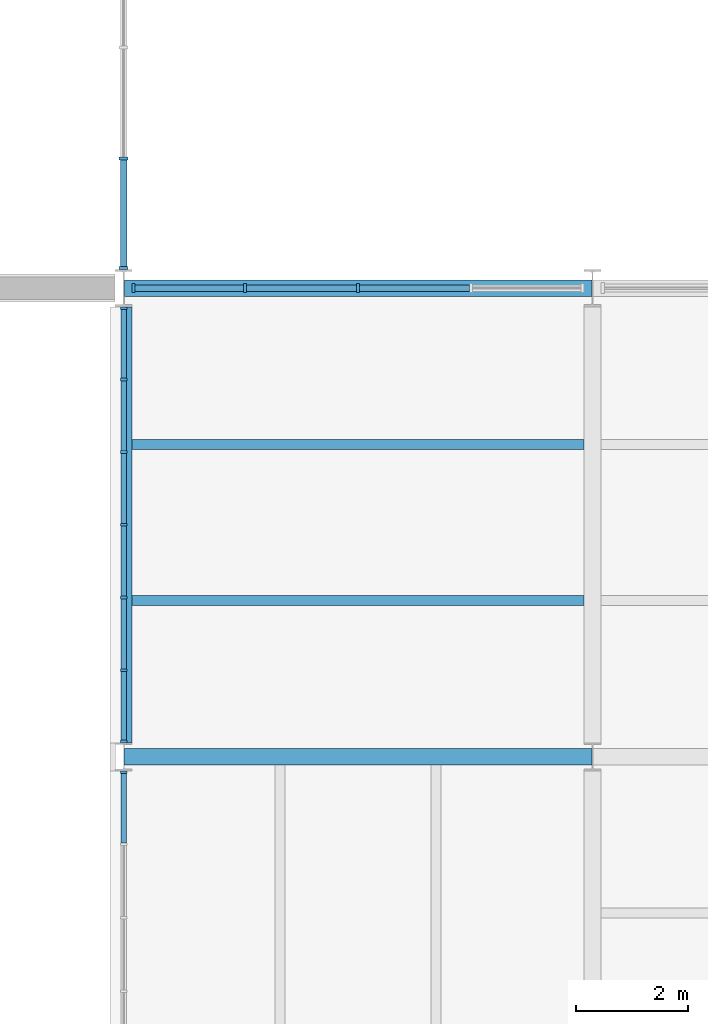
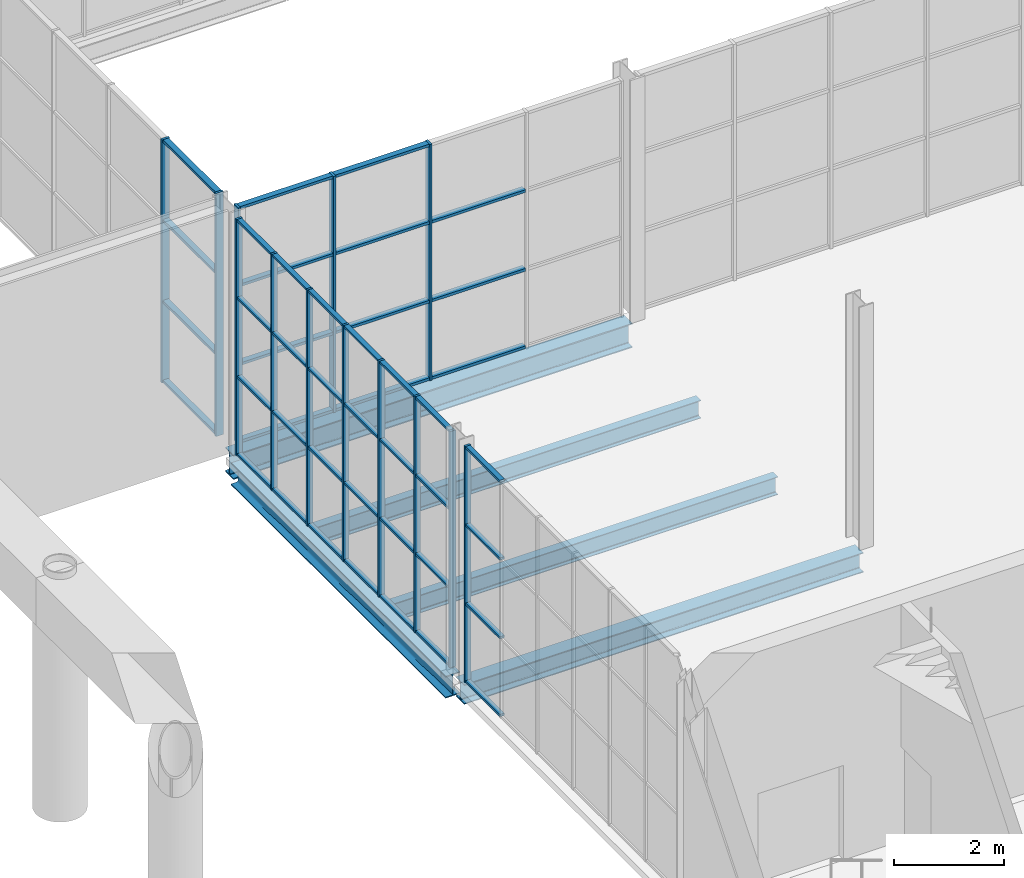
# One storey, part 11 of 64: 56 members, 5 beams, 4 elements without a shape of their own.
"""IFC4 building model written with IfcOpenShell, lengths in metres."""

from ifc_helpers import new_model, si_unit, direction, frame, origin, origin_2d, place, context, subcontext, project, spatial, rectangle, i_section, extrude, material, layer, layer_set, material_profile, profile_set, type_object, element, aggregate, save


model = new_model("IFC4")

# Units and contexts
model_context = context("Model", 3, precision=1e-05, world=origin(), true_north=direction((0.0, 1.0)))
body_context = subcontext(model_context, "Body", "Model", "MODEL_VIEW")
ifc_project = project(units=[si_unit("LENGTHUNIT", "METRE"), si_unit("AREAUNIT", "SQUARE_METRE"), si_unit("VOLUMEUNIT", "CUBIC_METRE"), si_unit("PLANEANGLEUNIT", "RADIAN"), si_unit("MASSUNIT", "GRAM", prefix="KILO")], contexts=[model_context])

# Site, building, storey
site_placement = place(None, origin())
site = spatial("IfcSite", under=ifc_project, at=site_placement, CompositionType="ELEMENT")
building_placement = place(site_placement, origin())
building = spatial("IfcBuilding", under=site, at=building_placement, Name="Galleria Vessillo Department Store", CompositionType="ELEMENT")
storey_placement = place(building_placement, frame((0.0, 0.0, 6.0)))
storey = spatial("IfcBuildingStorey", under=building, at=storey_placement, Name="L01", CompositionType="ELEMENT", Elevation=6.0)

# Curtain wall, member
ifc_material_1 = material(Name="Aluminium and glass curtain wall", Category="aluminium")
ifc_layer_1 = layer(ifc_material_1, 0.1201171875)
ifc_layer_set_1 = layer_set([ifc_layer_1], Name="Aluminium and glass curtain wall")
curtain_wall_type_1 = type_object("IfcCurtainWallType", Name="Shopfront curtain wall CW3 1400 module", PredefinedType="NOTDEFINED", material=ifc_layer_set_1)
curtain_wall_1_placement = place(storey_placement, origin())
curtain_wall_1 = element("IfcCurtainWall", 1, at=curtain_wall_1_placement, inside=storey, type_object=curtain_wall_type_1, Name="Shopfront curtain wall CW3 1400 module LB-L01-01", PredefinedType="NOTDEFINED")
ifc_material_2 = material(Name="Aluminium alloy 6063 T6", Category="aluminium")
ifc_material_profile_1 = material_profile(ifc_material_2, rectangle(XDim=0.1201171875, YDim=0.050048828125, at=origin_2d()), Name="AL 50x120")
ifc_profile_set_1 = profile_set([ifc_material_profile_1], Name="Aluminium alloy 6063 T6")
member_type_1 = type_object("IfcMemberType", Name="Aluminium mullion 50 x 120", PredefinedType="MULLION", material=ifc_profile_set_1)
member_1_placement = place(storey_placement, frame((8.39990234375, 16.525146484375, 0.0), z_axis=(0.0, 0.0, 1.0), x_axis=(-1.0, 0.0, 0.0)))
member_1 = element("IfcMember", 2, at=member_1_placement, type_object=member_type_1, Name="CW3 mullion 7", PredefinedType="MULLION", context=body_context, shape_type="SweptSolid", body=[
    extrude(rectangle(XDim=0.1201171875, YDim=0.050048828125, at=origin_2d()), origin(), (0.0, 0.0, 1.0), 5.25),
])

# Curtain wall, members
curtain_wall_2_placement = place(storey_placement, origin())
curtain_wall_2 = element("IfcCurtainWall", 3, at=curtain_wall_2_placement, inside=storey, type_object=curtain_wall_type_1, Name="Shopfront curtain wall CW3 1400 module LB-L01-02", PredefinedType="NOTDEFINED")
member_2_placement = place(storey_placement, frame((8.39990234375, 17.074951171875, 0.0), z_axis=(0.0, 0.0, 1.0), x_axis=(-1.0, 0.0, 0.0)))
member_2 = element("IfcMember", 4, at=member_2_placement, type_object=member_type_1, Name="CW3 mullion 1", PredefinedType="MULLION", context=body_context, shape_type="SweptSolid", body=[
    extrude(rectangle(XDim=0.1201171875, YDim=0.050048828125, at=origin_2d()), origin(), (0.0, 0.0, 1.0), 5.25),
])
member_3_placement = place(storey_placement, frame((8.39990234375, 18.352783203125, 0.0), z_axis=(0.0, 0.0, 1.0), x_axis=(-1.0, 0.0, 0.0)))
member_3 = element("IfcMember", 5, at=member_3_placement, type_object=member_type_1, Name="CW3 mullion 2", PredefinedType="MULLION", context=body_context, shape_type="SweptSolid", body=[
    extrude(rectangle(XDim=0.1201171875, YDim=0.050048828125, at=origin_2d()), origin(), (0.0, 0.0, 1.0), 5.25),
])
member_4_placement = place(storey_placement, frame((8.39990234375, 19.6552734375, 0.0), z_axis=(0.0, 0.0, 1.0), x_axis=(-1.0, 0.0, 0.0)))
member_4 = element("IfcMember", 6, at=member_4_placement, type_object=member_type_1, Name="CW3 mullion 3", PredefinedType="MULLION", context=body_context, shape_type="SweptSolid", body=[
    extrude(rectangle(XDim=0.1201171875, YDim=0.050048828125, at=origin_2d()), origin(), (0.0, 0.0, 1.0), 5.25),
])
member_5_placement = place(storey_placement, frame((8.39990234375, 20.9580078125, 0.0), z_axis=(0.0, 0.0, 1.0), x_axis=(-1.0, 0.0, 0.0)))
member_5 = element("IfcMember", 7, at=member_5_placement, type_object=member_type_1, Name="CW3 mullion 4", PredefinedType="MULLION", context=body_context, shape_type="SweptSolid", body=[
    extrude(rectangle(XDim=0.1201171875, YDim=0.050048828125, at=origin_2d()), origin(), (0.0, 0.0, 1.0), 5.25),
])
member_6_placement = place(storey_placement, frame((8.39990234375, 22.2607421875, 0.0), z_axis=(0.0, 0.0, 1.0), x_axis=(-1.0, 0.0, 0.0)))
member_6 = element("IfcMember", 8, at=member_6_placement, type_object=member_type_1, Name="CW3 mullion 5", PredefinedType="MULLION", context=body_context, shape_type="SweptSolid", body=[
    extrude(rectangle(XDim=0.1201171875, YDim=0.050048828125, at=origin_2d()), origin(), (0.0, 0.0, 1.0), 5.25),
])
member_7_placement = place(storey_placement, frame((8.39990234375, 23.563232421875, 0.0), z_axis=(0.0, 0.0, 1.0), x_axis=(-1.0, 0.0, 0.0)))
member_7 = element("IfcMember", 9, at=member_7_placement, type_object=member_type_1, Name="CW3 mullion 6", PredefinedType="MULLION", context=body_context, shape_type="SweptSolid", body=[
    extrude(rectangle(XDim=0.1201171875, YDim=0.050048828125, at=origin_2d()), origin(), (0.0, 0.0, 1.0), 5.25),
])
member_8_placement = place(storey_placement, frame((8.39990234375, 24.841064453125, 0.0), z_axis=(0.0, 0.0, 1.0), x_axis=(-1.0, 0.0, 0.0)))
member_8 = element("IfcMember", 10, at=member_8_placement, type_object=member_type_1, Name="CW3 mullion 7", PredefinedType="MULLION", context=body_context, shape_type="SweptSolid", body=[
    extrude(rectangle(XDim=0.1201171875, YDim=0.050048828125, at=origin_2d()), origin(), (0.0, 0.0, 1.0), 5.25),
])

ifc_material_3 = material(Name="Aluminium and glass curtain wall", Category="aluminium")
ifc_layer_2 = layer(ifc_material_3, 0.159912109375)
ifc_layer_set_2 = layer_set([ifc_layer_2], Name="Aluminium and glass curtain wall")
curtain_wall_type_2 = type_object("IfcCurtainWallType", Name="Arcade portal glazing CW2 2100 module", PredefinedType="NOTDEFINED", material=ifc_layer_set_2)
curtain_wall_3_placement = place(storey_placement, origin())
curtain_wall_3 = element("IfcCurtainWall", 11, at=curtain_wall_3_placement, inside=storey, type_object=curtain_wall_type_2, Name="Arcade portal glazing CW2 2100 module PW-W-S-L01-01", PredefinedType="NOTDEFINED")
ifc_material_4 = material(Name="Aluminium alloy 6063 T6", Category="aluminium")
ifc_material_profile_2 = material_profile(ifc_material_4, rectangle(XDim=0.159912109375, YDim=0.050048828125, at=origin_2d()), Name="AL 50x160")
ifc_profile_set_2 = profile_set([ifc_material_profile_2], Name="Aluminium alloy 6063 T6")
member_type_2 = type_object("IfcMemberType", Name="Aluminium mullion 50 x 160", PredefinedType="MULLION", material=ifc_profile_set_2)
member_9_placement = place(storey_placement, frame((8.577392578125, 25.199951171875, 0.0), z_axis=(0.0, 0.0, 1.0), x_axis=(0.0, 1.0, 0.0)))
member_9 = element("IfcMember", 12, at=member_9_placement, type_object=member_type_2, Name="CW2 mullion 1", PredefinedType="MULLION", context=body_context, shape_type="SweptSolid", body=[
    extrude(rectangle(XDim=0.159912109375, YDim=0.050048828125, at=origin_2d()), origin(), (0.0, 0.0, 1.0), 5.25),
])
member_10_placement = place(storey_placement, frame((10.576171875, 25.199951171875, 0.0), z_axis=(0.0, 0.0, 1.0), x_axis=(0.0, 1.0, 0.0)))
member_10 = element("IfcMember", 13, at=member_10_placement, type_object=member_type_2, Name="CW2 mullion 2", PredefinedType="MULLION", context=body_context, shape_type="SweptSolid", body=[
    extrude(rectangle(XDim=0.159912109375, YDim=0.050048828125, at=origin_2d()), origin(), (0.0, 0.0, 1.0), 5.25),
])
member_11_placement = place(storey_placement, frame((12.60009765625, 25.199951171875, 0.0), z_axis=(0.0, 0.0, 1.0), x_axis=(0.0, 1.0, 0.0)))
member_11 = element("IfcMember", 14, at=member_11_placement, type_object=member_type_2, Name="CW2 mullion 3", PredefinedType="MULLION", context=body_context, shape_type="SweptSolid", body=[
    extrude(rectangle(XDim=0.159912109375, YDim=0.050048828125, at=origin_2d()), origin(), (0.0, 0.0, 1.0), 5.25),
])

curtain_wall_4_placement = place(storey_placement, origin())
curtain_wall_4 = element("IfcCurtainWall", 15, at=curtain_wall_4_placement, inside=storey, type_object=curtain_wall_type_2, Name="Arcade portal glazing CW2 2100 module SCR-W-L01-01", PredefinedType="NOTDEFINED")
member_12_placement = place(storey_placement, frame((8.39990234375, 25.558837890625, 0.0), z_axis=(0.0, 0.0, 1.0), x_axis=(-1.0, 0.0, 0.0)))
member_12 = element("IfcMember", 16, at=member_12_placement, type_object=member_type_2, Name="CW2 mullion 1", PredefinedType="MULLION", context=body_context, shape_type="SweptSolid", body=[
    extrude(rectangle(XDim=0.159912109375, YDim=0.050048828125, at=origin_2d()), origin(), (0.0, 0.0, 1.0), 5.39990234375),
])
member_13_placement = place(storey_placement, frame((8.39990234375, 27.522705078125, 0.0), z_axis=(0.0, 0.0, 1.0), x_axis=(-1.0, 0.0, 0.0)))
member_13 = element("IfcMember", 17, at=member_13_placement, type_object=member_type_2, Name="CW2 mullion 2", PredefinedType="MULLION", context=body_context, shape_type="SweptSolid", body=[
    extrude(rectangle(XDim=0.159912109375, YDim=0.050048828125, at=origin_2d()), origin(), (0.0, 0.0, 1.0), 5.39990234375),
])

# Member
ifc_material_5 = material(Name="Aluminium alloy 6063 T6", Category="aluminium")
ifc_material_profile_3 = material_profile(ifc_material_5, rectangle(XDim=0.10009765625, YDim=0.050048828125, at=origin_2d()), Name="AL 50x100")
ifc_profile_set_3 = profile_set([ifc_material_profile_3], Name="Aluminium alloy 6063 T6")
member_type_3 = type_object("IfcMemberType", Name="Aluminium transom 50 x 100", PredefinedType="USERDEFINED", material=ifc_profile_set_3)
member_14_placement = place(storey_placement, frame((8.39990234375, 15.25830078125, 0.02490234375), z_axis=(0.0, 1.0, 0.0), x_axis=(-1.0, 0.0, 0.0)))
member_14 = element("IfcMember", 18, at=member_14_placement, type_object=member_type_3, Name="CW3 transom 6.1", ObjectType="TRANSOM", PredefinedType="USERDEFINED", context=body_context, shape_type="SweptSolid", body=[
    extrude(rectangle(XDim=0.10009765625, YDim=0.050048828125, at=origin_2d()), origin(), (0.0, 0.0, 1.0), 1.24169921875),
])

member_15_placement = place(storey_placement, frame((8.39990234375, 15.25830078125, 1.75), z_axis=(0.0, 1.0, 0.0), x_axis=(-1.0, 0.0, 0.0)))
member_15 = element("IfcMember", 19, at=member_15_placement, type_object=member_type_3, Name="CW3 transom 6.2", ObjectType="TRANSOM", PredefinedType="USERDEFINED", context=body_context, shape_type="SweptSolid", body=[
    extrude(rectangle(XDim=0.10009765625, YDim=0.050048828125, at=origin_2d()), origin(), (0.0, 0.0, 1.0), 1.24169921875),
])

member_16_placement = place(storey_placement, frame((8.39990234375, 15.25830078125, 3.5), z_axis=(0.0, 1.0, 0.0), x_axis=(-1.0, 0.0, 0.0)))
member_16 = element("IfcMember", 20, at=member_16_placement, type_object=member_type_3, Name="CW3 transom 6.3", ObjectType="TRANSOM", PredefinedType="USERDEFINED", context=body_context, shape_type="SweptSolid", body=[
    extrude(rectangle(XDim=0.10009765625, YDim=0.050048828125, at=origin_2d()), origin(), (0.0, 0.0, 1.0), 1.24169921875),
])

member_17_placement = place(storey_placement, frame((8.39990234375, 15.25830078125, 5.22509765625), z_axis=(0.0, 1.0, 0.0), x_axis=(-1.0, 0.0, 0.0)))
member_17 = element("IfcMember", 21, at=member_17_placement, type_object=member_type_3, Name="CW3 transom 6.4", ObjectType="TRANSOM", PredefinedType="USERDEFINED", context=body_context, shape_type="SweptSolid", body=[
    extrude(rectangle(XDim=0.10009765625, YDim=0.050048828125, at=origin_2d()), origin(), (0.0, 0.0, 1.0), 1.24169921875),
])

aggregate(curtain_wall_1, [member_1, member_14, member_15, member_16, member_17])

member_18_placement = place(storey_placement, frame((8.39990234375, 17.10009765625, 0.02490234375), z_axis=(0.0, 1.0, 0.0), x_axis=(-1.0, 0.0, 0.0)))
member_18 = element("IfcMember", 22, at=member_18_placement, type_object=member_type_3, Name="CW3 transom 1.1", ObjectType="TRANSOM", PredefinedType="USERDEFINED", context=body_context, shape_type="SweptSolid", body=[
    extrude(rectangle(XDim=0.10009765625, YDim=0.050048828125, at=origin_2d()), origin(), (0.0, 0.0, 1.0), 1.2275390625),
])

member_19_placement = place(storey_placement, frame((8.39990234375, 17.10009765625, 1.75), z_axis=(0.0, 1.0, 0.0), x_axis=(-1.0, 0.0, 0.0)))
member_19 = element("IfcMember", 23, at=member_19_placement, type_object=member_type_3, Name="CW3 transom 1.2", ObjectType="TRANSOM", PredefinedType="USERDEFINED", context=body_context, shape_type="SweptSolid", body=[
    extrude(rectangle(XDim=0.10009765625, YDim=0.050048828125, at=origin_2d()), origin(), (0.0, 0.0, 1.0), 1.2275390625),
])

member_20_placement = place(storey_placement, frame((8.39990234375, 17.10009765625, 3.5), z_axis=(0.0, 1.0, 0.0), x_axis=(-1.0, 0.0, 0.0)))
member_20 = element("IfcMember", 24, at=member_20_placement, type_object=member_type_3, Name="CW3 transom 1.3", ObjectType="TRANSOM", PredefinedType="USERDEFINED", context=body_context, shape_type="SweptSolid", body=[
    extrude(rectangle(XDim=0.10009765625, YDim=0.050048828125, at=origin_2d()), origin(), (0.0, 0.0, 1.0), 1.2275390625),
])

member_21_placement = place(storey_placement, frame((8.39990234375, 17.10009765625, 5.22509765625), z_axis=(0.0, 1.0, 0.0), x_axis=(-1.0, 0.0, 0.0)))
member_21 = element("IfcMember", 25, at=member_21_placement, type_object=member_type_3, Name="CW3 transom 1.4", ObjectType="TRANSOM", PredefinedType="USERDEFINED", context=body_context, shape_type="SweptSolid", body=[
    extrude(rectangle(XDim=0.10009765625, YDim=0.050048828125, at=origin_2d()), origin(), (0.0, 0.0, 1.0), 1.2275390625),
])

member_22_placement = place(storey_placement, frame((8.39990234375, 18.377685546875, 0.02490234375), z_axis=(0.0, 1.0, 0.0), x_axis=(-1.0, 0.0, 0.0)))
member_22 = element("IfcMember", 26, at=member_22_placement, type_object=member_type_3, Name="CW3 transom 2.1", ObjectType="TRANSOM", PredefinedType="USERDEFINED", context=body_context, shape_type="SweptSolid", body=[
    extrude(rectangle(XDim=0.10009765625, YDim=0.050048828125, at=origin_2d()), origin(), (0.0, 0.0, 1.0), 1.252685546875),
])

member_23_placement = place(storey_placement, frame((8.39990234375, 18.377685546875, 1.75), z_axis=(0.0, 1.0, 0.0), x_axis=(-1.0, 0.0, 0.0)))
member_23 = element("IfcMember", 27, at=member_23_placement, type_object=member_type_3, Name="CW3 transom 2.2", ObjectType="TRANSOM", PredefinedType="USERDEFINED", context=body_context, shape_type="SweptSolid", body=[
    extrude(rectangle(XDim=0.10009765625, YDim=0.050048828125, at=origin_2d()), origin(), (0.0, 0.0, 1.0), 1.252685546875),
])

member_24_placement = place(storey_placement, frame((8.39990234375, 18.377685546875, 3.5), z_axis=(0.0, 1.0, 0.0), x_axis=(-1.0, 0.0, 0.0)))
member_24 = element("IfcMember", 28, at=member_24_placement, type_object=member_type_3, Name="CW3 transom 2.3", ObjectType="TRANSOM", PredefinedType="USERDEFINED", context=body_context, shape_type="SweptSolid", body=[
    extrude(rectangle(XDim=0.10009765625, YDim=0.050048828125, at=origin_2d()), origin(), (0.0, 0.0, 1.0), 1.252685546875),
])

member_25_placement = place(storey_placement, frame((8.39990234375, 18.377685546875, 5.22509765625), z_axis=(0.0, 1.0, 0.0), x_axis=(-1.0, 0.0, 0.0)))
member_25 = element("IfcMember", 29, at=member_25_placement, type_object=member_type_3, Name="CW3 transom 2.4", ObjectType="TRANSOM", PredefinedType="USERDEFINED", context=body_context, shape_type="SweptSolid", body=[
    extrude(rectangle(XDim=0.10009765625, YDim=0.050048828125, at=origin_2d()), origin(), (0.0, 0.0, 1.0), 1.252685546875),
])

member_26_placement = place(storey_placement, frame((8.39990234375, 19.680419921875, 0.02490234375), z_axis=(0.0, 1.0, 0.0), x_axis=(-1.0, 0.0, 0.0)))
member_26 = element("IfcMember", 30, at=member_26_placement, type_object=member_type_3, Name="CW3 transom 3.1", ObjectType="TRANSOM", PredefinedType="USERDEFINED", context=body_context, shape_type="SweptSolid", body=[
    extrude(rectangle(XDim=0.10009765625, YDim=0.050048828125, at=origin_2d()), origin(), (0.0, 0.0, 1.0), 1.252685546875),
])

member_27_placement = place(storey_placement, frame((8.39990234375, 19.680419921875, 1.75), z_axis=(0.0, 1.0, 0.0), x_axis=(-1.0, 0.0, 0.0)))
member_27 = element("IfcMember", 31, at=member_27_placement, type_object=member_type_3, Name="CW3 transom 3.2", ObjectType="TRANSOM", PredefinedType="USERDEFINED", context=body_context, shape_type="SweptSolid", body=[
    extrude(rectangle(XDim=0.10009765625, YDim=0.050048828125, at=origin_2d()), origin(), (0.0, 0.0, 1.0), 1.252685546875),
])

member_28_placement = place(storey_placement, frame((8.39990234375, 19.680419921875, 3.5), z_axis=(0.0, 1.0, 0.0), x_axis=(-1.0, 0.0, 0.0)))
member_28 = element("IfcMember", 32, at=member_28_placement, type_object=member_type_3, Name="CW3 transom 3.3", ObjectType="TRANSOM", PredefinedType="USERDEFINED", context=body_context, shape_type="SweptSolid", body=[
    extrude(rectangle(XDim=0.10009765625, YDim=0.050048828125, at=origin_2d()), origin(), (0.0, 0.0, 1.0), 1.252685546875),
])

member_29_placement = place(storey_placement, frame((8.39990234375, 19.680419921875, 5.22509765625), z_axis=(0.0, 1.0, 0.0), x_axis=(-1.0, 0.0, 0.0)))
member_29 = element("IfcMember", 33, at=member_29_placement, type_object=member_type_3, Name="CW3 transom 3.4", ObjectType="TRANSOM", PredefinedType="USERDEFINED", context=body_context, shape_type="SweptSolid", body=[
    extrude(rectangle(XDim=0.10009765625, YDim=0.050048828125, at=origin_2d()), origin(), (0.0, 0.0, 1.0), 1.252685546875),
])

member_30_placement = place(storey_placement, frame((8.39990234375, 20.98291015625, 0.02490234375), z_axis=(0.0, 1.0, 0.0), x_axis=(-1.0, 0.0, 0.0)))
member_30 = element("IfcMember", 34, at=member_30_placement, type_object=member_type_3, Name="CW3 transom 4.1", ObjectType="TRANSOM", PredefinedType="USERDEFINED", context=body_context, shape_type="SweptSolid", body=[
    extrude(rectangle(XDim=0.10009765625, YDim=0.050048828125, at=origin_2d()), origin(), (0.0, 0.0, 1.0), 1.252685546875),
])

member_31_placement = place(storey_placement, frame((8.39990234375, 20.98291015625, 1.75), z_axis=(0.0, 1.0, 0.0), x_axis=(-1.0, 0.0, 0.0)))
member_31 = element("IfcMember", 35, at=member_31_placement, type_object=member_type_3, Name="CW3 transom 4.2", ObjectType="TRANSOM", PredefinedType="USERDEFINED", context=body_context, shape_type="SweptSolid", body=[
    extrude(rectangle(XDim=0.10009765625, YDim=0.050048828125, at=origin_2d()), origin(), (0.0, 0.0, 1.0), 1.252685546875),
])

member_32_placement = place(storey_placement, frame((8.39990234375, 20.98291015625, 3.5), z_axis=(0.0, 1.0, 0.0), x_axis=(-1.0, 0.0, 0.0)))
member_32 = element("IfcMember", 36, at=member_32_placement, type_object=member_type_3, Name="CW3 transom 4.3", ObjectType="TRANSOM", PredefinedType="USERDEFINED", context=body_context, shape_type="SweptSolid", body=[
    extrude(rectangle(XDim=0.10009765625, YDim=0.050048828125, at=origin_2d()), origin(), (0.0, 0.0, 1.0), 1.252685546875),
])

member_33_placement = place(storey_placement, frame((8.39990234375, 20.98291015625, 5.22509765625), z_axis=(0.0, 1.0, 0.0), x_axis=(-1.0, 0.0, 0.0)))
member_33 = element("IfcMember", 37, at=member_33_placement, type_object=member_type_3, Name="CW3 transom 4.4", ObjectType="TRANSOM", PredefinedType="USERDEFINED", context=body_context, shape_type="SweptSolid", body=[
    extrude(rectangle(XDim=0.10009765625, YDim=0.050048828125, at=origin_2d()), origin(), (0.0, 0.0, 1.0), 1.252685546875),
])

member_34_placement = place(storey_placement, frame((8.39990234375, 22.28564453125, 0.02490234375), z_axis=(0.0, 1.0, 0.0), x_axis=(-1.0, 0.0, 0.0)))
member_34 = element("IfcMember", 38, at=member_34_placement, type_object=member_type_3, Name="CW3 transom 5.1", ObjectType="TRANSOM", PredefinedType="USERDEFINED", context=body_context, shape_type="SweptSolid", body=[
    extrude(rectangle(XDim=0.10009765625, YDim=0.050048828125, at=origin_2d()), origin(), (0.0, 0.0, 1.0), 1.252685546875),
])

member_35_placement = place(storey_placement, frame((8.39990234375, 22.28564453125, 1.75), z_axis=(0.0, 1.0, 0.0), x_axis=(-1.0, 0.0, 0.0)))
member_35 = element("IfcMember", 39, at=member_35_placement, type_object=member_type_3, Name="CW3 transom 5.2", ObjectType="TRANSOM", PredefinedType="USERDEFINED", context=body_context, shape_type="SweptSolid", body=[
    extrude(rectangle(XDim=0.10009765625, YDim=0.050048828125, at=origin_2d()), origin(), (0.0, 0.0, 1.0), 1.252685546875),
])

member_36_placement = place(storey_placement, frame((8.39990234375, 22.28564453125, 3.5), z_axis=(0.0, 1.0, 0.0), x_axis=(-1.0, 0.0, 0.0)))
member_36 = element("IfcMember", 40, at=member_36_placement, type_object=member_type_3, Name="CW3 transom 5.3", ObjectType="TRANSOM", PredefinedType="USERDEFINED", context=body_context, shape_type="SweptSolid", body=[
    extrude(rectangle(XDim=0.10009765625, YDim=0.050048828125, at=origin_2d()), origin(), (0.0, 0.0, 1.0), 1.252685546875),
])

member_37_placement = place(storey_placement, frame((8.39990234375, 22.28564453125, 5.22509765625), z_axis=(0.0, 1.0, 0.0), x_axis=(-1.0, 0.0, 0.0)))
member_37 = element("IfcMember", 41, at=member_37_placement, type_object=member_type_3, Name="CW3 transom 5.4", ObjectType="TRANSOM", PredefinedType="USERDEFINED", context=body_context, shape_type="SweptSolid", body=[
    extrude(rectangle(XDim=0.10009765625, YDim=0.050048828125, at=origin_2d()), origin(), (0.0, 0.0, 1.0), 1.252685546875),
])

member_38_placement = place(storey_placement, frame((8.39990234375, 23.58837890625, 0.02490234375), z_axis=(0.0, 1.0, 0.0), x_axis=(-1.0, 0.0, 0.0)))
member_38 = element("IfcMember", 42, at=member_38_placement, type_object=member_type_3, Name="CW3 transom 6.1", ObjectType="TRANSOM", PredefinedType="USERDEFINED", context=body_context, shape_type="SweptSolid", body=[
    extrude(rectangle(XDim=0.10009765625, YDim=0.050048828125, at=origin_2d()), origin(), (0.0, 0.0, 1.0), 1.2275390625),
])

member_39_placement = place(storey_placement, frame((8.39990234375, 23.58837890625, 1.75), z_axis=(0.0, 1.0, 0.0), x_axis=(-1.0, 0.0, 0.0)))
member_39 = element("IfcMember", 43, at=member_39_placement, type_object=member_type_3, Name="CW3 transom 6.2", ObjectType="TRANSOM", PredefinedType="USERDEFINED", context=body_context, shape_type="SweptSolid", body=[
    extrude(rectangle(XDim=0.10009765625, YDim=0.050048828125, at=origin_2d()), origin(), (0.0, 0.0, 1.0), 1.2275390625),
])

member_40_placement = place(storey_placement, frame((8.39990234375, 23.58837890625, 3.5), z_axis=(0.0, 1.0, 0.0), x_axis=(-1.0, 0.0, 0.0)))
member_40 = element("IfcMember", 44, at=member_40_placement, type_object=member_type_3, Name="CW3 transom 6.3", ObjectType="TRANSOM", PredefinedType="USERDEFINED", context=body_context, shape_type="SweptSolid", body=[
    extrude(rectangle(XDim=0.10009765625, YDim=0.050048828125, at=origin_2d()), origin(), (0.0, 0.0, 1.0), 1.2275390625),
])

member_41_placement = place(storey_placement, frame((8.39990234375, 23.58837890625, 5.22509765625), z_axis=(0.0, 1.0, 0.0), x_axis=(-1.0, 0.0, 0.0)))
member_41 = element("IfcMember", 45, at=member_41_placement, type_object=member_type_3, Name="CW3 transom 6.4", ObjectType="TRANSOM", PredefinedType="USERDEFINED", context=body_context, shape_type="SweptSolid", body=[
    extrude(rectangle(XDim=0.10009765625, YDim=0.050048828125, at=origin_2d()), origin(), (0.0, 0.0, 1.0), 1.2275390625),
])

aggregate(curtain_wall_2, [member_2, member_3, member_4, member_5, member_6, member_7, member_8, member_18, member_19, member_20, member_21, member_22, member_23, member_24, member_25, member_26, member_27, member_28, member_29, member_30, member_31, member_32, member_33, member_34, member_35, member_36, member_37, member_38, member_39, member_40, member_41])

ifc_material_6 = material(Name="Aluminium alloy 6063 T6", Category="aluminium")
ifc_material_profile_4 = material_profile(ifc_material_6, rectangle(XDim=0.1201171875, YDim=0.06005859375, at=origin_2d()), Name="AL 60x120")
ifc_profile_set_4 = profile_set([ifc_material_profile_4], Name="Aluminium alloy 6063 T6")
member_type_4 = type_object("IfcMemberType", Name="Aluminium transom 60 x 120", PredefinedType="USERDEFINED", material=ifc_profile_set_4)
member_42_placement = place(storey_placement, frame((8.6025390625, 25.199951171875, 0.030029296875), z_axis=(1.0, 0.0, 0.0), x_axis=(0.0, 1.0, 0.0)))
member_42 = element("IfcMember", 46, at=member_42_placement, type_object=member_type_4, Name="CW2 transom 1.1", ObjectType="TRANSOM", PredefinedType="USERDEFINED", context=body_context, shape_type="SweptSolid", body=[
    extrude(rectangle(XDim=0.1201171875, YDim=0.06005859375, at=origin_2d()), origin(), (0.0, 0.0, 1.0), 1.94873046875),
])

member_43_placement = place(storey_placement, frame((8.6025390625, 25.199951171875, 1.75), z_axis=(1.0, 0.0, 0.0), x_axis=(0.0, 1.0, 0.0)))
member_43 = element("IfcMember", 47, at=member_43_placement, type_object=member_type_4, Name="CW2 transom 1.2", ObjectType="TRANSOM", PredefinedType="USERDEFINED", context=body_context, shape_type="SweptSolid", body=[
    extrude(rectangle(XDim=0.1201171875, YDim=0.06005859375, at=origin_2d()), origin(), (0.0, 0.0, 1.0), 1.94873046875),
])

member_44_placement = place(storey_placement, frame((8.6025390625, 25.199951171875, 3.5), z_axis=(1.0, 0.0, 0.0), x_axis=(0.0, 1.0, 0.0)))
member_44 = element("IfcMember", 48, at=member_44_placement, type_object=member_type_4, Name="CW2 transom 1.3", ObjectType="TRANSOM", PredefinedType="USERDEFINED", context=body_context, shape_type="SweptSolid", body=[
    extrude(rectangle(XDim=0.1201171875, YDim=0.06005859375, at=origin_2d()), origin(), (0.0, 0.0, 1.0), 1.94873046875),
])

member_45_placement = place(storey_placement, frame((8.6025390625, 25.199951171875, 5.219970703125), z_axis=(1.0, 0.0, 0.0), x_axis=(0.0, 1.0, 0.0)))
member_45 = element("IfcMember", 49, at=member_45_placement, type_object=member_type_4, Name="CW2 transom 1.4", ObjectType="TRANSOM", PredefinedType="USERDEFINED", context=body_context, shape_type="SweptSolid", body=[
    extrude(rectangle(XDim=0.1201171875, YDim=0.06005859375, at=origin_2d()), origin(), (0.0, 0.0, 1.0), 1.94873046875),
])

member_46_placement = place(storey_placement, frame((10.601318359375, 25.199951171875, 0.030029296875), z_axis=(1.0, 0.0, 0.0), x_axis=(0.0, 1.0, 0.0)))
member_46 = element("IfcMember", 50, at=member_46_placement, type_object=member_type_4, Name="CW2 transom 2.1", ObjectType="TRANSOM", PredefinedType="USERDEFINED", context=body_context, shape_type="SweptSolid", body=[
    extrude(rectangle(XDim=0.1201171875, YDim=0.06005859375, at=origin_2d()), origin(), (0.0, 0.0, 1.0), 1.9736328125),
])

member_47_placement = place(storey_placement, frame((10.601318359375, 25.199951171875, 1.75), z_axis=(1.0, 0.0, 0.0), x_axis=(0.0, 1.0, 0.0)))
member_47 = element("IfcMember", 51, at=member_47_placement, type_object=member_type_4, Name="CW2 transom 2.2", ObjectType="TRANSOM", PredefinedType="USERDEFINED", context=body_context, shape_type="SweptSolid", body=[
    extrude(rectangle(XDim=0.1201171875, YDim=0.06005859375, at=origin_2d()), origin(), (0.0, 0.0, 1.0), 1.9736328125),
])

member_48_placement = place(storey_placement, frame((10.601318359375, 25.199951171875, 3.5), z_axis=(1.0, 0.0, 0.0), x_axis=(0.0, 1.0, 0.0)))
member_48 = element("IfcMember", 52, at=member_48_placement, type_object=member_type_4, Name="CW2 transom 2.3", ObjectType="TRANSOM", PredefinedType="USERDEFINED", context=body_context, shape_type="SweptSolid", body=[
    extrude(rectangle(XDim=0.1201171875, YDim=0.06005859375, at=origin_2d()), origin(), (0.0, 0.0, 1.0), 1.9736328125),
])

member_49_placement = place(storey_placement, frame((10.601318359375, 25.199951171875, 5.219970703125), z_axis=(1.0, 0.0, 0.0), x_axis=(0.0, 1.0, 0.0)))
member_49 = element("IfcMember", 53, at=member_49_placement, type_object=member_type_4, Name="CW2 transom 2.4", ObjectType="TRANSOM", PredefinedType="USERDEFINED", context=body_context, shape_type="SweptSolid", body=[
    extrude(rectangle(XDim=0.1201171875, YDim=0.06005859375, at=origin_2d()), origin(), (0.0, 0.0, 1.0), 1.9736328125),
])

member_50_placement = place(storey_placement, frame((12.625, 25.199951171875, 0.030029296875), z_axis=(1.0, 0.0, 0.0), x_axis=(0.0, 1.0, 0.0)))
member_50 = element("IfcMember", 54, at=member_50_placement, type_object=member_type_4, Name="CW2 transom 3.1", ObjectType="TRANSOM", PredefinedType="USERDEFINED", context=body_context, shape_type="SweptSolid", body=[
    extrude(rectangle(XDim=0.1201171875, YDim=0.06005859375, at=origin_2d()), origin(), (0.0, 0.0, 1.0), 1.9736328125),
])

member_51_placement = place(storey_placement, frame((12.625, 25.199951171875, 1.75), z_axis=(1.0, 0.0, 0.0), x_axis=(0.0, 1.0, 0.0)))
member_51 = element("IfcMember", 55, at=member_51_placement, type_object=member_type_4, Name="CW2 transom 3.2", ObjectType="TRANSOM", PredefinedType="USERDEFINED", context=body_context, shape_type="SweptSolid", body=[
    extrude(rectangle(XDim=0.1201171875, YDim=0.06005859375, at=origin_2d()), origin(), (0.0, 0.0, 1.0), 1.9736328125),
])

member_52_placement = place(storey_placement, frame((12.625, 25.199951171875, 3.5), z_axis=(1.0, 0.0, 0.0), x_axis=(0.0, 1.0, 0.0)))
member_52 = element("IfcMember", 56, at=member_52_placement, type_object=member_type_4, Name="CW2 transom 3.3", ObjectType="TRANSOM", PredefinedType="USERDEFINED", context=body_context, shape_type="SweptSolid", body=[
    extrude(rectangle(XDim=0.1201171875, YDim=0.06005859375, at=origin_2d()), origin(), (0.0, 0.0, 1.0), 1.9736328125),
])

aggregate(curtain_wall_3, [member_9, member_10, member_11, member_42, member_43, member_44, member_45, member_46, member_47, member_48, member_49, member_50, member_51, member_52])

member_53_placement = place(storey_placement, frame((8.39990234375, 25.583984375, 0.030029296875), z_axis=(0.0, 1.0, 0.0), x_axis=(-1.0, 0.0, 0.0)))
member_53 = element("IfcMember", 57, at=member_53_placement, type_object=member_type_4, Name="CW2 transom 1.1", ObjectType="TRANSOM", PredefinedType="USERDEFINED", context=body_context, shape_type="SweptSolid", body=[
    extrude(rectangle(XDim=0.1201171875, YDim=0.06005859375, at=origin_2d()), origin(), (0.0, 0.0, 1.0), 1.91357421875),
])

member_54_placement = place(storey_placement, frame((8.39990234375, 25.583984375, 1.800048828125), z_axis=(0.0, 1.0, 0.0), x_axis=(-1.0, 0.0, 0.0)))
member_54 = element("IfcMember", 58, at=member_54_placement, type_object=member_type_4, Name="CW2 transom 1.2", ObjectType="TRANSOM", PredefinedType="USERDEFINED", context=body_context, shape_type="SweptSolid", body=[
    extrude(rectangle(XDim=0.1201171875, YDim=0.06005859375, at=origin_2d()), origin(), (0.0, 0.0, 1.0), 1.91357421875),
])

member_55_placement = place(storey_placement, frame((8.39990234375, 25.583984375, 3.599853515625), z_axis=(0.0, 1.0, 0.0), x_axis=(-1.0, 0.0, 0.0)))
member_55 = element("IfcMember", 59, at=member_55_placement, type_object=member_type_4, Name="CW2 transom 1.3", ObjectType="TRANSOM", PredefinedType="USERDEFINED", context=body_context, shape_type="SweptSolid", body=[
    extrude(rectangle(XDim=0.1201171875, YDim=0.06005859375, at=origin_2d()), origin(), (0.0, 0.0, 1.0), 1.91357421875),
])

member_56_placement = place(storey_placement, frame((8.39990234375, 25.583984375, 5.369873046875), z_axis=(0.0, 1.0, 0.0), x_axis=(-1.0, 0.0, 0.0)))
member_56 = element("IfcMember", 60, at=member_56_placement, type_object=member_type_4, Name="CW2 transom 1.4", ObjectType="TRANSOM", PredefinedType="USERDEFINED", context=body_context, shape_type="SweptSolid", body=[
    extrude(rectangle(XDim=0.1201171875, YDim=0.06005859375, at=origin_2d()), origin(), (0.0, 0.0, 1.0), 1.91357421875),
])

aggregate(curtain_wall_4, [member_12, member_13, member_53, member_54, member_55, member_56])

# Beams
ifc_material_7 = material(Name="Steel S355 J2", Category="steel")
ifc_material_profile_5 = material_profile(ifc_material_7, i_section(OverallWidth=0.300048828125, OverallDepth=0.43994140625, WebThickness=0.011474609375, FlangeThickness=0.02099609375, FilletRadius=0.027099609375, at=origin_2d()), Name="HEA 450")
ifc_profile_set_5 = profile_set([ifc_material_profile_5], Name="Steel S355 J2")
beam_type_1 = type_object("IfcBeamType", Name="Floor girder HEA 450", PredefinedType="BEAM", material=ifc_profile_set_5)
beam_1_placement = place(storey_placement, frame((8.407470703125, 16.800048828125, -0.369873046875), z_axis=(1.0, 0.0, 0.0), x_axis=(0.0, 1.0, 0.0)))
element("IfcBeam", 61, at=beam_1_placement, inside=storey, type_object=beam_type_1, Name="S-BM-L01-GI-x16800-8407", PredefinedType="BEAM", context=body_context, shape_type="SweptSolid", body=[
    extrude(i_section(OverallWidth=0.300048828125, OverallDepth=0.43994140625, WebThickness=0.011474609375, FlangeThickness=0.02099609375, FilletRadius=0.027099609375, at=origin_2d()), origin(), (0.0, 0.0, 1.0), 8.38525390625),
])
ifc_material_8 = material(Name="Steel S355 J2", Category="steel")
ifc_material_profile_6 = material_profile(ifc_material_8, i_section(OverallWidth=0.179931640625, OverallDepth=0.39990234375, WebThickness=0.008544921875, FlangeThickness=0.013427734375, FilletRadius=0.02099609375, at=origin_2d()), Name="IPE 400")
ifc_profile_set_6 = profile_set([ifc_material_profile_6], Name="Steel S355 J2")
beam_type_2 = type_object("IfcBeamType", Name="Floor joist IPE 400", PredefinedType="JOIST", material=ifc_profile_set_6)
for number, where, z_axis, x_axis, name in (
    (62, (8.550048828125, 19.60009765625, -0.349853515625), (1.0, 0.0, 0.0), (0.0, 1.0, 0.0), "S-BM-L01-JO-x19600-8550"),
    (63, (8.550048828125, 22.39990234375, -0.349853515625), (1.0, 0.0, 0.0), (0.0, 1.0, 0.0), "S-BM-L01-JO-x22400-8550"),
):
    element("IfcBeam", number, at=place(storey_placement, frame(where, z_axis=z_axis, x_axis=x_axis)), inside=storey, type_object=beam_type_2, Name=name, PredefinedType="JOIST", context=body_context, shape_type="SweptSolid", body=[
        extrude(i_section(OverallWidth=0.179931640625, OverallDepth=0.39990234375, WebThickness=0.008544921875, FlangeThickness=0.013427734375, FilletRadius=0.02099609375, at=origin_2d()), origin(), (0.0, 0.0, 1.0), 8.099853515625),
    ])
ifc_material_9 = material(Name="Steel S355 J2", Category="steel")
ifc_material_profile_7 = material_profile(ifc_material_9, i_section(OverallWidth=0.300048828125, OverallDepth=0.489990234375, WebThickness=0.011962890625, FlangeThickness=0.02294921875, FilletRadius=0.027099609375, at=origin_2d()), Name="HEA 500")
ifc_profile_set_7 = profile_set([ifc_material_profile_7], Name="Steel S355 J2")
beam_type_3 = type_object("IfcBeamType", Name="Trimmer beam HEA 500", PredefinedType="BEAM", material=ifc_profile_set_7)
beam_2_placement = place(storey_placement, frame((8.39990234375, 17.050048828125, -0.39501953125), z_axis=(0.0, 1.0, 0.0), x_axis=(-1.0, 0.0, 0.0)))
element("IfcBeam", 64, at=beam_2_placement, inside=storey, type_object=beam_type_3, Name="S-BM-L01-TR-y8400-17050", PredefinedType="BEAM", context=body_context, shape_type="SweptSolid", body=[
    extrude(i_section(OverallWidth=0.300048828125, OverallDepth=0.489990234375, WebThickness=0.011962890625, FlangeThickness=0.02294921875, FilletRadius=0.027099609375, at=origin_2d()), origin(), (0.0, 0.0, 1.0), 7.81591796875),
])
ifc_material_10 = material(Name="Steel S355 J2", Category="steel")
ifc_material_profile_8 = material_profile(ifc_material_10, i_section(OverallWidth=0.300048828125, OverallDepth=0.5400390625, WebThickness=0.012451171875, FlangeThickness=0.02392578125, FilletRadius=0.027099609375, at=origin_2d()), Name="HEA 550")
ifc_profile_set_8 = profile_set([ifc_material_profile_8], Name="Steel S355 J2")
beam_type_4 = type_object("IfcBeamType", Name="Trimmer beam HEA 550", PredefinedType="BEAM", material=ifc_profile_set_8)
beam_3_placement = place(storey_placement, frame((8.41064453125, 25.199951171875, -0.419921875), z_axis=(1.0, 0.0, 0.0), x_axis=(0.0, 1.0, 0.0)))
element("IfcBeam", 65, at=beam_3_placement, inside=storey, type_object=beam_type_4, Name="S-BM-L01-TR-x25200-8411", PredefinedType="BEAM", context=body_context, shape_type="SweptSolid", body=[
    extrude(i_section(OverallWidth=0.300048828125, OverallDepth=0.5400390625, WebThickness=0.012451171875, FlangeThickness=0.02392578125, FilletRadius=0.027099609375, at=origin_2d()), origin(), (0.0, 0.0, 1.0), 8.378662109375),
])

save(model, "model.ifc")
